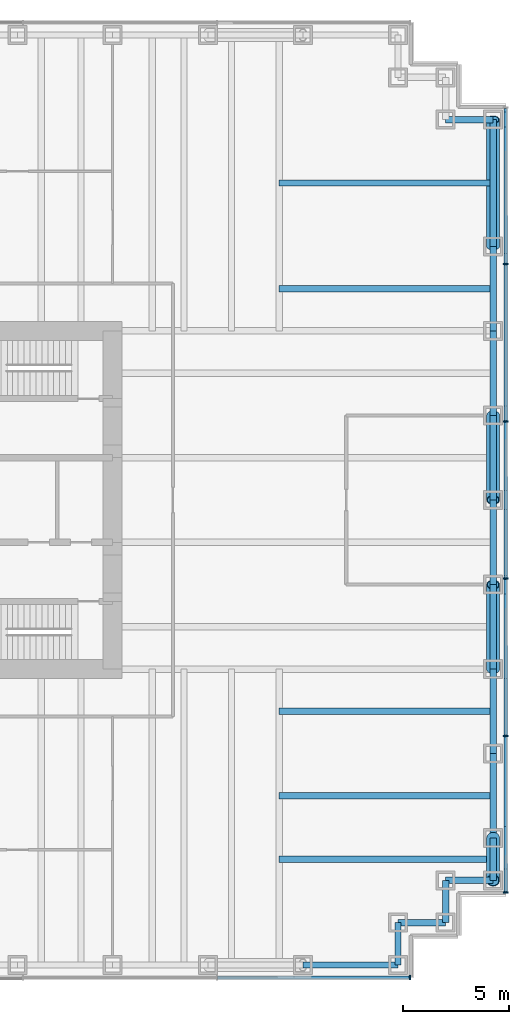
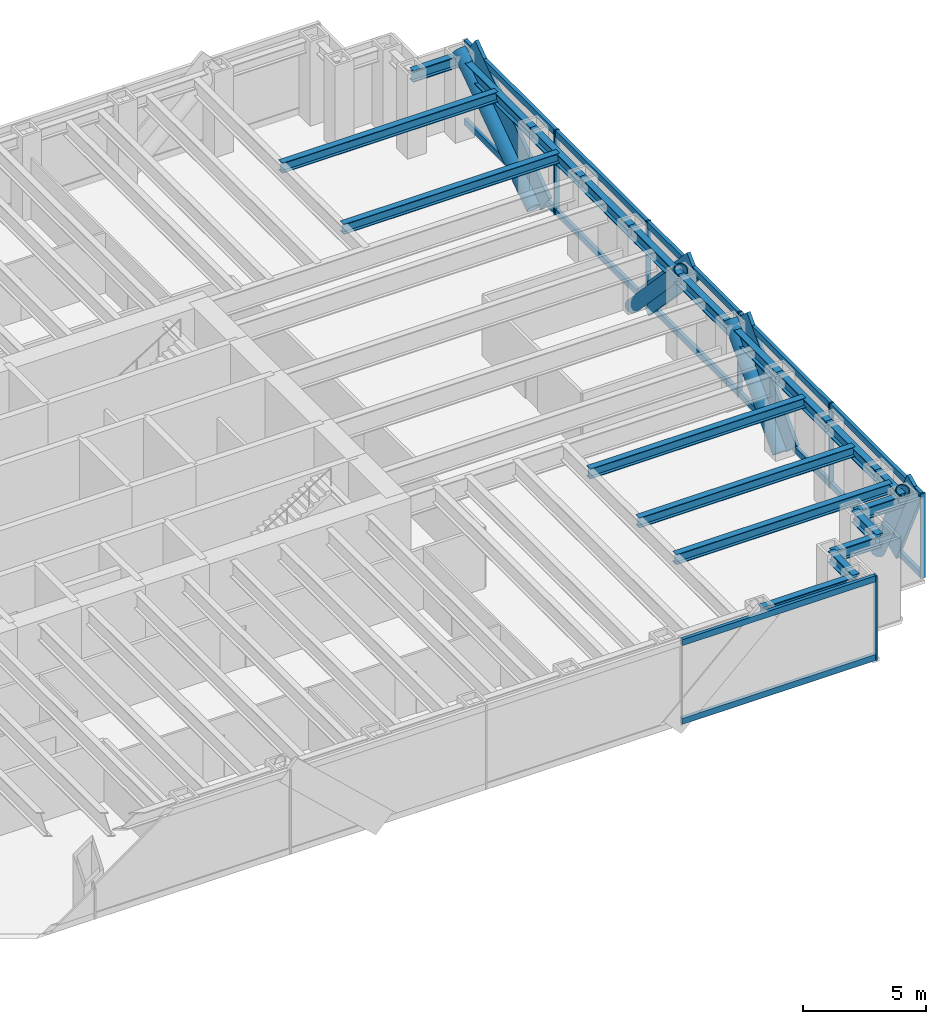
# One storey, part 8 of 15: 26 members, 20 beams, 2 elements without a shape of their own.
"""IFC4 building model written with IfcOpenShell, lengths in metres."""

from ifc_helpers import new_model, si_unit, direction, frame, origin, origin_2d, place, context, subcontext, project, spatial, rectangle, hollow_circle, i_section, extrude, material, material_profile, profile_set, type_object, element, aggregate, save


model = new_model("IFC4")

# Units and contexts
model_context = context("Model", 3, precision=1e-05, world=origin(), true_north=direction((0.0, 1.0)))
body_context = subcontext(model_context, "Body", "Model", "MODEL_VIEW")
ifc_project = project(units=[si_unit("LENGTHUNIT", "METRE"), si_unit("AREAUNIT", "SQUARE_METRE"), si_unit("VOLUMEUNIT", "CUBIC_METRE"), si_unit("PLANEANGLEUNIT", "RADIAN"), si_unit("MASSUNIT", "GRAM", prefix="KILO")], contexts=[model_context])

# Site, building, storey
site_placement = place(None, origin())
site = spatial("IfcSite", under=ifc_project, at=site_placement, CompositionType="ELEMENT")
building_placement = place(site_placement, origin())
building = spatial("IfcBuilding", under=site, at=building_placement, Name="Rheinbord Bourse Tower", CompositionType="ELEMENT")
storey_placement = place(building_placement, frame((0.0, 0.0, 117.300048828125)))
storey = spatial("IfcBuildingStorey", under=building, at=storey_placement, Name="L25", CompositionType="ELEMENT", Elevation=117.300048828125)

# Curtain wall, members
ifc_material_1 = material(Name="Dark glass and black aluminium", Category="aluminium")
curtain_wall_type = type_object("IfcCurtainWallType", Name="CW2 DARK GLASS CURTAIN WALL", PredefinedType="USERDEFINED", material=ifc_material_1)
curtain_wall_1_placement = place(storey_placement, origin())
curtain_wall_1 = element("IfcCurtainWall", 1, at=curtain_wall_1_placement, inside=storey, type_object=curtain_wall_type, Name="Curtain wall CW2 E L25", ObjectType="UNITISED CURTAIN WALL", PredefinedType="USERDEFINED")
ifc_material_2 = material(Name="Black anodised aluminium", Category="aluminium")
ifc_material_profile_1 = material_profile(ifc_material_2, rectangle(XDim=0.159912109375, YDim=1.2099609375, at=origin_2d()), Name="CW2 DIAGONAL MULLION 1210x160")
ifc_profile_set_1 = profile_set([ifc_material_profile_1], Name="Black anodised aluminium")
member_type_1 = type_object("IfcMemberType", Name="CW2 BLACK DIAGONAL MULLION", PredefinedType="USERDEFINED", material=ifc_profile_set_1)
member_1_placement = place(storey_placement, frame((72.60009765625, 36.0, 0.0), z_axis=(0.0, 0.819235052632, 0.57345786989), x_axis=(-1.0, 0.0, 0.0)))
member_1 = element("IfcMember", 2, at=member_1_placement, type_object=member_type_1, Name="CW2 diagonal mullion a", ObjectType="DIAGONAL MULLION", PredefinedType="USERDEFINED", context=body_context, shape_type="SweptSolid", body=[
    extrude(rectangle(XDim=0.159912109375, YDim=1.2099609375, at=origin_2d()), origin(), (0.0, 0.0, 1.0), 7.323974609375),
])
member_2_placement = place(storey_placement, frame((72.60009765625, 8.0, 0.0), z_axis=(0.0, -0.429937654825, 0.902858578607), x_axis=(1.0, 0.0, 0.0)))
member_2 = element("IfcMember", 3, at=member_2_placement, type_object=member_type_1, Name="CW2 diagonal mullion b", ObjectType="DIAGONAL MULLION", PredefinedType="USERDEFINED", context=body_context, shape_type="SweptSolid", body=[
    extrude(rectangle(XDim=0.159912109375, YDim=1.2099609375, at=origin_2d()), origin(), (0.0, 0.0, 1.0), 4.65185546875),
])
member_3_placement = place(storey_placement, frame((72.60009765625, 28.0, 0.0), z_axis=(0.0, -0.689659376744, 0.724133926887), x_axis=(1.0, 0.0, 0.0)))
member_3 = element("IfcMember", 4, at=member_3_placement, type_object=member_type_1, Name="CW2 diagonal mullion c", ObjectType="DIAGONAL MULLION", PredefinedType="USERDEFINED", context=body_context, shape_type="SweptSolid", body=[
    extrude(rectangle(XDim=0.159912109375, YDim=1.2099609375, at=origin_2d()), origin(), (0.0, 0.0, 1.0), 5.800048828125),
])
member_4_placement = place(storey_placement, frame((72.60009765625, 16.0, 0.0), z_axis=(0.0, 0.689659376744, 0.724133926887), x_axis=(-1.0, 0.0, 0.0)))
member_4 = element("IfcMember", 5, at=member_4_placement, type_object=member_type_1, Name="CW2 diagonal mullion d", ObjectType="DIAGONAL MULLION", PredefinedType="USERDEFINED", context=body_context, shape_type="SweptSolid", body=[
    extrude(rectangle(XDim=0.159912109375, YDim=1.2099609375, at=origin_2d()), origin(), (0.0, 0.0, 1.0), 5.800048828125),
])

# Curtain wall, member
curtain_wall_2_placement = place(storey_placement, origin())
curtain_wall_2 = element("IfcCurtainWall", 6, at=curtain_wall_2_placement, inside=storey, type_object=curtain_wall_type, Name="Curtain wall CW2 S L25", ObjectType="UNITISED CURTAIN WALL", PredefinedType="USERDEFINED")
ifc_material_3 = material(Name="Black anodised aluminium", Category="aluminium")
ifc_material_profile_2 = material_profile(ifc_material_3, rectangle(XDim=0.219970703125, YDim=0.070068359375, at=origin_2d()), Name="CW2 MULLION 70x220")
ifc_profile_set_2 = profile_set([ifc_material_profile_2], Name="Black anodised aluminium")
member_type_2 = type_object("IfcMemberType", Name="CW2 BLACK MULLION", PredefinedType="MULLION", material=ifc_profile_set_2)
member_5_placement = place(storey_placement, frame((68.06494140625, 1.39990234375, 0.0), z_axis=(0.0, 0.0, 1.0), x_axis=(0.0, 1.0, 0.0)))
member_5 = element("IfcMember", 7, at=member_5_placement, type_object=member_type_2, Name="CW2 mullion 8", PredefinedType="MULLION", context=body_context, shape_type="SweptSolid", body=[
    extrude(rectangle(XDim=0.219970703125, YDim=0.070068359375, at=origin_2d()), origin(), (0.0, 0.0, 1.0), 4.199951171875),
])

# Member
member_6_placement = place(storey_placement, frame((72.60009765625, 5.43505859375, 0.0), z_axis=(0.0, 0.0, 1.0), x_axis=(-1.0, 0.0, 0.0)))
member_6 = element("IfcMember", 8, at=member_6_placement, type_object=member_type_2, Name="CW2 mullion 1", PredefinedType="MULLION", context=body_context, shape_type="SweptSolid", body=[
    extrude(rectangle(XDim=0.219970703125, YDim=0.070068359375, at=origin_2d()), origin(), (0.0, 0.0, 1.0), 4.199951171875),
])

member_7_placement = place(storey_placement, frame((72.60009765625, 12.840087890625, 0.0), z_axis=(0.0, 0.0, 1.0), x_axis=(-1.0, 0.0, 0.0)))
member_7 = element("IfcMember", 9, at=member_7_placement, type_object=member_type_2, Name="CW2 mullion 2", PredefinedType="MULLION", context=body_context, shape_type="SweptSolid", body=[
    extrude(rectangle(XDim=0.219970703125, YDim=0.070068359375, at=origin_2d()), origin(), (0.0, 0.0, 1.0), 4.199951171875),
])

member_8_placement = place(storey_placement, frame((72.60009765625, 20.280029296875, 0.0), z_axis=(0.0, 0.0, 1.0), x_axis=(-1.0, 0.0, 0.0)))
member_8 = element("IfcMember", 10, at=member_8_placement, type_object=member_type_2, Name="CW2 mullion 3", PredefinedType="MULLION", context=body_context, shape_type="SweptSolid", body=[
    extrude(rectangle(XDim=0.219970703125, YDim=0.070068359375, at=origin_2d()), origin(), (0.0, 0.0, 1.0), 4.199951171875),
])

member_9_placement = place(storey_placement, frame((72.60009765625, 27.719970703125, 0.0), z_axis=(0.0, 0.0, 1.0), x_axis=(-1.0, 0.0, 0.0)))
member_9 = element("IfcMember", 11, at=member_9_placement, type_object=member_type_2, Name="CW2 mullion 4", PredefinedType="MULLION", context=body_context, shape_type="SweptSolid", body=[
    extrude(rectangle(XDim=0.219970703125, YDim=0.070068359375, at=origin_2d()), origin(), (0.0, 0.0, 1.0), 4.199951171875),
])

member_10_placement = place(storey_placement, frame((72.60009765625, 35.159912109375, 0.0), z_axis=(0.0, 0.0, 1.0), x_axis=(-1.0, 0.0, 0.0)))
member_10 = element("IfcMember", 12, at=member_10_placement, type_object=member_type_2, Name="CW2 mullion 5", PredefinedType="MULLION", context=body_context, shape_type="SweptSolid", body=[
    extrude(rectangle(XDim=0.219970703125, YDim=0.070068359375, at=origin_2d()), origin(), (0.0, 0.0, 1.0), 4.199951171875),
])

ifc_material_4 = material(Name="Black anodised aluminium", Category="aluminium")
ifc_material_profile_3 = material_profile(ifc_material_4, rectangle(XDim=0.159912109375, YDim=0.300048828125, at=origin_2d()), Name="CW2 TRANSOM 300x160")
ifc_profile_set_3 = profile_set([ifc_material_profile_3], Name="Black anodised aluminium")
member_type_3 = type_object("IfcMemberType", Name="CW2 BLACK TRANSOM", PredefinedType="USERDEFINED", material=ifc_profile_set_3)
member_11_placement = place(storey_placement, frame((58.963623046875, 1.39990234375, 0.14990234375), z_axis=(1.0, 0.0, 0.0), x_axis=(0.0, 1.0, 0.0)))
member_11 = element("IfcMember", 13, at=member_11_placement, type_object=member_type_3, Name="CW2 transom 7.1", ObjectType="TRANSOM", PredefinedType="USERDEFINED", context=body_context, shape_type="SweptSolid", body=[
    extrude(rectangle(XDim=0.159912109375, YDim=0.300048828125, at=origin_2d()), origin(), (0.0, 0.0, 1.0), 9.06640625),
])

member_12_placement = place(storey_placement, frame((58.963623046875, 1.39990234375, 4.050048828125), z_axis=(1.0, 0.0, 0.0), x_axis=(0.0, 1.0, 0.0)))
member_12 = element("IfcMember", 14, at=member_12_placement, type_object=member_type_3, Name="CW2 transom 7.2", ObjectType="TRANSOM", PredefinedType="USERDEFINED", context=body_context, shape_type="SweptSolid", body=[
    extrude(rectangle(XDim=0.159912109375, YDim=0.300048828125, at=origin_2d()), origin(), (0.0, 0.0, 1.0), 9.06640625),
])

aggregate(curtain_wall_2, [member_5, member_11, member_12])

member_13_placement = place(storey_placement, frame((72.60009765625, 5.469970703125, 0.14990234375), z_axis=(0.0, 1.0, 0.0), x_axis=(-1.0, 0.0, 0.0)))
member_13 = element("IfcMember", 15, at=member_13_placement, type_object=member_type_3, Name="CW2 transom 1.1", ObjectType="TRANSOM", PredefinedType="USERDEFINED", context=body_context, shape_type="SweptSolid", body=[
    extrude(rectangle(XDim=0.159912109375, YDim=0.300048828125, at=origin_2d()), origin(), (0.0, 0.0, 1.0), 7.3349609375),
])

member_14_placement = place(storey_placement, frame((72.60009765625, 5.469970703125, 4.050048828125), z_axis=(0.0, 1.0, 0.0), x_axis=(-1.0, 0.0, 0.0)))
member_14 = element("IfcMember", 16, at=member_14_placement, type_object=member_type_3, Name="CW2 transom 1.2", ObjectType="TRANSOM", PredefinedType="USERDEFINED", context=body_context, shape_type="SweptSolid", body=[
    extrude(rectangle(XDim=0.159912109375, YDim=0.300048828125, at=origin_2d()), origin(), (0.0, 0.0, 1.0), 7.3349609375),
])

member_15_placement = place(storey_placement, frame((72.60009765625, 12.875, 0.14990234375), z_axis=(0.0, 1.0, 0.0), x_axis=(-1.0, 0.0, 0.0)))
member_15 = element("IfcMember", 17, at=member_15_placement, type_object=member_type_3, Name="CW2 transom 2.1", ObjectType="TRANSOM", PredefinedType="USERDEFINED", context=body_context, shape_type="SweptSolid", body=[
    extrude(rectangle(XDim=0.159912109375, YDim=0.300048828125, at=origin_2d()), origin(), (0.0, 0.0, 1.0), 7.3701171875),
])

member_16_placement = place(storey_placement, frame((72.60009765625, 12.875, 4.050048828125), z_axis=(0.0, 1.0, 0.0), x_axis=(-1.0, 0.0, 0.0)))
member_16 = element("IfcMember", 18, at=member_16_placement, type_object=member_type_3, Name="CW2 transom 2.2", ObjectType="TRANSOM", PredefinedType="USERDEFINED", context=body_context, shape_type="SweptSolid", body=[
    extrude(rectangle(XDim=0.159912109375, YDim=0.300048828125, at=origin_2d()), origin(), (0.0, 0.0, 1.0), 7.3701171875),
])

member_17_placement = place(storey_placement, frame((72.60009765625, 20.31494140625, 0.14990234375), z_axis=(0.0, 1.0, 0.0), x_axis=(-1.0, 0.0, 0.0)))
member_17 = element("IfcMember", 19, at=member_17_placement, type_object=member_type_3, Name="CW2 transom 3.1", ObjectType="TRANSOM", PredefinedType="USERDEFINED", context=body_context, shape_type="SweptSolid", body=[
    extrude(rectangle(XDim=0.159912109375, YDim=0.300048828125, at=origin_2d()), origin(), (0.0, 0.0, 1.0), 7.3701171875),
])

member_18_placement = place(storey_placement, frame((72.60009765625, 20.31494140625, 4.050048828125), z_axis=(0.0, 1.0, 0.0), x_axis=(-1.0, 0.0, 0.0)))
member_18 = element("IfcMember", 20, at=member_18_placement, type_object=member_type_3, Name="CW2 transom 3.2", ObjectType="TRANSOM", PredefinedType="USERDEFINED", context=body_context, shape_type="SweptSolid", body=[
    extrude(rectangle(XDim=0.159912109375, YDim=0.300048828125, at=origin_2d()), origin(), (0.0, 0.0, 1.0), 7.3701171875),
])

member_19_placement = place(storey_placement, frame((72.60009765625, 27.7548828125, 0.14990234375), z_axis=(0.0, 1.0, 0.0), x_axis=(-1.0, 0.0, 0.0)))
member_19 = element("IfcMember", 21, at=member_19_placement, type_object=member_type_3, Name="CW2 transom 4.1", ObjectType="TRANSOM", PredefinedType="USERDEFINED", context=body_context, shape_type="SweptSolid", body=[
    extrude(rectangle(XDim=0.159912109375, YDim=0.300048828125, at=origin_2d()), origin(), (0.0, 0.0, 1.0), 7.3701171875),
])

member_20_placement = place(storey_placement, frame((72.60009765625, 27.7548828125, 4.050048828125), z_axis=(0.0, 1.0, 0.0), x_axis=(-1.0, 0.0, 0.0)))
member_20 = element("IfcMember", 22, at=member_20_placement, type_object=member_type_3, Name="CW2 transom 4.2", ObjectType="TRANSOM", PredefinedType="USERDEFINED", context=body_context, shape_type="SweptSolid", body=[
    extrude(rectangle(XDim=0.159912109375, YDim=0.300048828125, at=origin_2d()), origin(), (0.0, 0.0, 1.0), 7.3701171875),
])

member_21_placement = place(storey_placement, frame((72.60009765625, 35.195068359375, 0.14990234375), z_axis=(0.0, 1.0, 0.0), x_axis=(-1.0, 0.0, 0.0)))
member_21 = element("IfcMember", 23, at=member_21_placement, type_object=member_type_3, Name="CW2 transom 5.1", ObjectType="TRANSOM", PredefinedType="USERDEFINED", context=body_context, shape_type="SweptSolid", body=[
    extrude(rectangle(XDim=0.159912109375, YDim=0.300048828125, at=origin_2d()), origin(), (0.0, 0.0, 1.0), 7.3349609375),
])

member_22_placement = place(storey_placement, frame((72.60009765625, 35.195068359375, 4.050048828125), z_axis=(0.0, 1.0, 0.0), x_axis=(-1.0, 0.0, 0.0)))
member_22 = element("IfcMember", 24, at=member_22_placement, type_object=member_type_3, Name="CW2 transom 5.2", ObjectType="TRANSOM", PredefinedType="USERDEFINED", context=body_context, shape_type="SweptSolid", body=[
    extrude(rectangle(XDim=0.159912109375, YDim=0.300048828125, at=origin_2d()), origin(), (0.0, 0.0, 1.0), 7.3349609375),
])

aggregate(curtain_wall_1, [member_6, member_7, member_8, member_9, member_10, member_13, member_14, member_15, member_16, member_17, member_18, member_19, member_20, member_21, member_22, member_1, member_2, member_3, member_4])

# Members
ifc_material_5 = material(Name="Steel S460", Category="steel")
ifc_material_profile_4 = material_profile(ifc_material_5, hollow_circle(Radius=0.304931640625, WallThickness=0.0400390625, at=origin_2d()), Name="CHS 610x40")
ifc_profile_set_4 = profile_set([ifc_material_profile_4], Name="Steel S460")
member_type_4 = type_object("IfcMemberType", Name="MEGABRACE CHS 610x40", PredefinedType="BRACE", material=ifc_profile_set_4)
member_23_placement = place(storey_placement, frame((72.0, 36.0, 0.0), z_axis=(0.0, 0.819235052632, 0.57345786989), x_axis=(-1.0, 0.0, 0.0)))
element("IfcMember", 25, at=member_23_placement, inside=storey, type_object=member_type_4, Name="Megabrace E face line a L25", PredefinedType="BRACE", context=body_context, shape_type="SweptSolid", body=[
    extrude(hollow_circle(Radius=0.304931640625, WallThickness=0.0400390625, at=origin_2d()), origin(), (0.0, 0.0, 1.0), 7.323974609375),
])
member_24_placement = place(storey_placement, frame((72.0, 8.0, 0.0), z_axis=(0.0, -0.429937654825, 0.902858578607), x_axis=(1.0, 0.0, 0.0)))
element("IfcMember", 26, at=member_24_placement, inside=storey, type_object=member_type_4, Name="Megabrace E face line b L25", PredefinedType="BRACE", context=body_context, shape_type="SweptSolid", body=[
    extrude(hollow_circle(Radius=0.304931640625, WallThickness=0.0400390625, at=origin_2d()), origin(), (0.0, 0.0, 1.0), 4.65185546875),
])
for number, where, z_axis, x_axis, name in (
    (27, (72.0, 28.0, 0.0), (0.0, -0.689659376744, 0.724133926887), (1.0, 0.0, 0.0), "Megabrace E face line c L25"),
    (28, (72.0, 16.0, 0.0), (0.0, 0.689659376744, 0.724133926887), (-1.0, 0.0, 0.0), "Megabrace E face line d L25"),
):
    element("IfcMember", number, at=place(storey_placement, frame(where, z_axis=z_axis, x_axis=x_axis)), inside=storey, type_object=member_type_4, Name=name, PredefinedType="BRACE", context=body_context, shape_type="SweptSolid", body=[
        extrude(hollow_circle(Radius=0.304931640625, WallThickness=0.0400390625, at=origin_2d()), origin(), (0.0, 0.0, 1.0), 5.800048828125),
    ])

# Beams
ifc_material_6 = material(Name="Steel S460", Category="steel")
ifc_material_profile_5 = material_profile(ifc_material_6, i_section(OverallWidth=0.305908203125, OverallDepth=0.572021484375, WebThickness=0.02099609375, FlangeThickness=0.0400390625, at=origin_2d()), Name="HEM 550")
ifc_profile_set_5 = profile_set([ifc_material_profile_5], Name="Steel S460")
beam_type_1 = type_object("IfcBeamType", Name="SPANDREL HEM 550", PredefinedType="SPANDREL", material=ifc_profile_set_5)
beam_1_placement = place(storey_placement, frame((63.0, 2.0, 3.75390625), z_axis=(1.0, 0.0, 0.0), x_axis=(0.0, 1.0, 0.0)))
element("IfcBeam", 29, at=beam_1_placement, inside=storey, type_object=beam_type_1, Name="Spandrel S-63-SE-E under L26", PredefinedType="SPANDREL", context=body_context, shape_type="SweptSolid", body=[
    extrude(i_section(OverallWidth=0.305908203125, OverallDepth=0.572021484375, WebThickness=0.02099609375, FlangeThickness=0.0400390625, at=origin_2d()), origin(), (0.0, 0.0, 1.0), 4.5),
])
beam_2_placement = place(storey_placement, frame((67.5, 2.0, 3.75390625), z_axis=(0.0, 1.0, 0.0), x_axis=(-1.0, 0.0, 0.0)))
element("IfcBeam", 30, at=beam_2_placement, inside=storey, type_object=beam_type_1, Name="Spandrel SE-E-SE-D under L26", PredefinedType="SPANDREL", context=body_context, shape_type="SweptSolid", body=[
    extrude(i_section(OverallWidth=0.305908203125, OverallDepth=0.572021484375, WebThickness=0.02099609375, FlangeThickness=0.0400390625, at=origin_2d()), origin(), (0.0, 0.0, 1.0), 2.0),
])
beam_3_placement = place(storey_placement, frame((67.5, 4.0, 3.75390625), z_axis=(1.0, 0.0, 0.0), x_axis=(0.0, 1.0, 0.0)))
element("IfcBeam", 31, at=beam_3_placement, inside=storey, type_object=beam_type_1, Name="Spandrel SE-D-SE-C under L26", PredefinedType="SPANDREL", context=body_context, shape_type="SweptSolid", body=[
    extrude(i_section(OverallWidth=0.305908203125, OverallDepth=0.572021484375, WebThickness=0.02099609375, FlangeThickness=0.0400390625, at=origin_2d()), origin(), (0.0, 0.0, 1.0), 2.25),
])
beam_4_placement = place(storey_placement, frame((69.75, 4.0, 3.75390625), z_axis=(0.0, 1.0, 0.0), x_axis=(-1.0, 0.0, 0.0)))
element("IfcBeam", 32, at=beam_4_placement, inside=storey, type_object=beam_type_1, Name="Spandrel SE-C-SE-B under L26", PredefinedType="SPANDREL", context=body_context, shape_type="SweptSolid", body=[
    extrude(i_section(OverallWidth=0.305908203125, OverallDepth=0.572021484375, WebThickness=0.02099609375, FlangeThickness=0.0400390625, at=origin_2d()), origin(), (0.0, 0.0, 1.0), 2.0),
])
beam_5_placement = place(storey_placement, frame((69.75, 6.0, 3.75390625), z_axis=(1.0, 0.0, 0.0), x_axis=(0.0, 1.0, 0.0)))
element("IfcBeam", 33, at=beam_5_placement, inside=storey, type_object=beam_type_1, Name="Spandrel SE-B-SE-A under L26", PredefinedType="SPANDREL", context=body_context, shape_type="SweptSolid", body=[
    extrude(i_section(OverallWidth=0.305908203125, OverallDepth=0.572021484375, WebThickness=0.02099609375, FlangeThickness=0.0400390625, at=origin_2d()), origin(), (0.0, 0.0, 1.0), 2.25),
])
beam_6_placement = place(storey_placement, frame((72.0, 6.0, 3.75390625), z_axis=(0.0, 1.0, 0.0), x_axis=(-1.0, 0.0, 0.0)))
element("IfcBeam", 34, at=beam_6_placement, inside=storey, type_object=beam_type_1, Name="Spandrel SE-A-E-8 under L26", PredefinedType="SPANDREL", context=body_context, shape_type="SweptSolid", body=[
    extrude(i_section(OverallWidth=0.305908203125, OverallDepth=0.572021484375, WebThickness=0.02099609375, FlangeThickness=0.0400390625, at=origin_2d()), origin(), (0.0, 0.0, 1.0), 2.0),
])
for number, where, z_axis, x_axis, name in (
    (35, (72.0, 8.0, 3.75390625), (0.0, 1.0, 0.0), (-1.0, 0.0, 0.0), "Spandrel E-8-E-12 under L26"),
    (36, (72.0, 12.0, 3.75390625), (0.0, 1.0, 0.0), (-1.0, 0.0, 0.0), "Spandrel E-12-E-16 under L26"),
    (37, (72.0, 16.0, 3.75390625), (0.0, 1.0, 0.0), (-1.0, 0.0, 0.0), "Spandrel E-16-E-20 under L26"),
    (38, (72.0, 20.0, 3.75390625), (0.0, 1.0, 0.0), (-1.0, 0.0, 0.0), "Spandrel E-20-E-24 under L26"),
    (39, (72.0, 24.0, 3.75390625), (0.0, 1.0, 0.0), (-1.0, 0.0, 0.0), "Spandrel E-24-E-28 under L26"),
    (40, (72.0, 28.0, 3.75390625), (0.0, 1.0, 0.0), (-1.0, 0.0, 0.0), "Spandrel E-28-E-32 under L26"),
    (41, (72.0, 32.0, 3.75390625), (0.0, 1.0, 0.0), (-1.0, 0.0, 0.0), "Spandrel E-32-E-36 under L26"),
):
    element("IfcBeam", number, at=place(storey_placement, frame(where, z_axis=z_axis, x_axis=x_axis)), inside=storey, type_object=beam_type_1, Name=name, PredefinedType="SPANDREL", context=body_context, shape_type="SweptSolid", body=[
        extrude(i_section(OverallWidth=0.305908203125, OverallDepth=0.572021484375, WebThickness=0.02099609375, FlangeThickness=0.0400390625, at=origin_2d()), origin(), (0.0, 0.0, 1.0), 4.0),
    ])
beam_7_placement = place(storey_placement, frame((72.0, 36.0, 3.75390625), z_axis=(0.0, 1.0, 0.0), x_axis=(-1.0, 0.0, 0.0)))
element("IfcBeam", 42, at=beam_7_placement, inside=storey, type_object=beam_type_1, Name="Spandrel E-36-NE-A under L26", PredefinedType="SPANDREL", context=body_context, shape_type="SweptSolid", body=[
    extrude(i_section(OverallWidth=0.305908203125, OverallDepth=0.572021484375, WebThickness=0.02099609375, FlangeThickness=0.0400390625, at=origin_2d()), origin(), (0.0, 0.0, 1.0), 6.0),
])
beam_8_placement = place(storey_placement, frame((72.0, 42.0, 3.75390625), z_axis=(-1.0, 0.0, 0.0), x_axis=(0.0, -1.0, 0.0)))
element("IfcBeam", 43, at=beam_8_placement, inside=storey, type_object=beam_type_1, Name="Spandrel NE-A-NE-B under L26", PredefinedType="SPANDREL", context=body_context, shape_type="SweptSolid", body=[
    extrude(i_section(OverallWidth=0.305908203125, OverallDepth=0.572021484375, WebThickness=0.02099609375, FlangeThickness=0.0400390625, at=origin_2d()), origin(), (0.0, 0.0, 1.0), 2.25),
])
ifc_material_7 = material(Name="Steel S460", Category="steel")
ifc_material_profile_6 = material_profile(ifc_material_7, i_section(OverallWidth=0.300048828125, OverallDepth=0.5, WebThickness=0.014404296875, FlangeThickness=0.028076171875, at=origin_2d()), Name="HEB 500")
ifc_profile_set_6 = profile_set([ifc_material_profile_6], Name="Steel S460")
beam_type_2 = type_object("IfcBeamType", Name="TIE BEAM HEB 500", PredefinedType="JOIST", material=ifc_profile_set_6)
for number, where, z_axis, x_axis, name in (
    (44, (61.875, 7.0, 3.7900390625), (1.0, 0.0, 0.0), (0.0, 1.0, 0.0), "Tie east 7 L26"),
    (45, (61.875, 10.0, 3.7900390625), (1.0, 0.0, 0.0), (0.0, 1.0, 0.0), "Tie east 10 L26"),
    (46, (61.875, 14.0, 3.7900390625), (1.0, 0.0, 0.0), (0.0, 1.0, 0.0), "Tie east 14 L26"),
    (47, (61.875, 34.0, 3.7900390625), (1.0, 0.0, 0.0), (0.0, 1.0, 0.0), "Tie east 34 L26"),
    (48, (61.875, 39.0, 3.7900390625), (1.0, 0.0, 0.0), (0.0, 1.0, 0.0), "Tie east 39 L26"),
):
    element("IfcBeam", number, at=place(storey_placement, frame(where, z_axis=z_axis, x_axis=x_axis)), inside=storey, type_object=beam_type_2, Name=name, PredefinedType="JOIST", context=body_context, shape_type="SweptSolid", body=[
        extrude(i_section(OverallWidth=0.300048828125, OverallDepth=0.5, WebThickness=0.014404296875, FlangeThickness=0.028076171875, at=origin_2d()), origin(), (0.0, 0.0, 1.0), 10.125),
    ])

save(model, "model.ifc")
